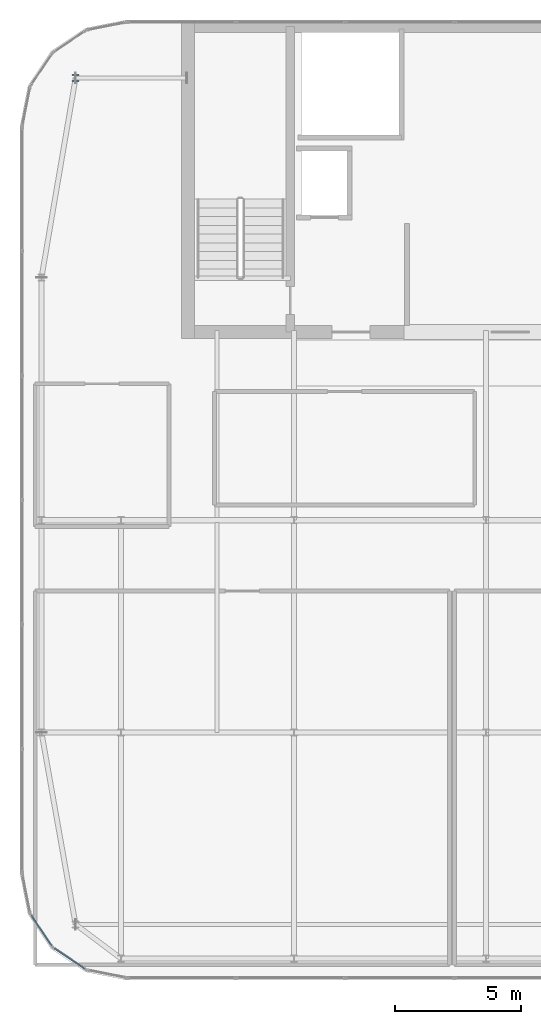
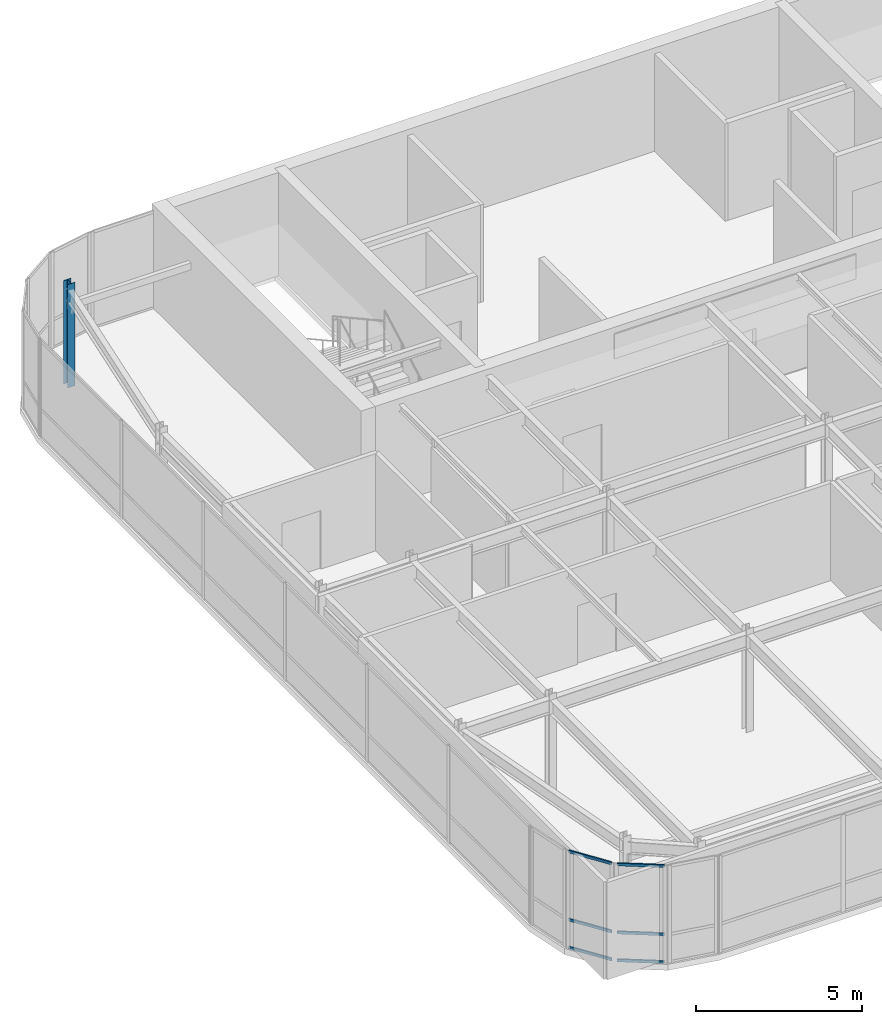
# One storey, part 4 of 36: 6 members, 1 column, 2 elements without a shape of their own.
"""IFC4 building model written with IfcOpenShell, lengths in metres."""

from ifc_helpers import new_model, si_unit, direction, frame, origin, origin_2d, place, context, subcontext, project, spatial, hollow_rectangle, i_section, extrude, source, transform, mapped, material, layer, layer_set, material_profile, profile_set, type_object, type_shapes, element, aggregate, save


model = new_model("IFC4")

# Units and contexts
model_context = context("Model", 3, precision=1e-05, world=origin(), true_north=direction((0.0, 1.0)))
body_context = subcontext(model_context, "Body", "Model", "MODEL_VIEW")
ifc_project = project(units=[si_unit("LENGTHUNIT", "METRE"), si_unit("AREAUNIT", "SQUARE_METRE"), si_unit("VOLUMEUNIT", "CUBIC_METRE"), si_unit("PLANEANGLEUNIT", "RADIAN"), si_unit("MASSUNIT", "GRAM", prefix="KILO")], contexts=[model_context])

# Site, building, storey
site_placement = place(None, origin())
site = spatial("IfcSite", under=ifc_project, at=site_placement, CompositionType="ELEMENT")
building_placement = place(site_placement, origin())
building = spatial("IfcBuilding", under=site, at=building_placement, Name="Tolvann Quenvar Hotel", CompositionType="ELEMENT")
storey_placement = place(building_placement, frame((0.0, 0.0, 298.550048828125)))
storey = spatial("IfcBuildingStorey", under=building, at=storey_placement, Name="L79", CompositionType="ELEMENT", Elevation=298.550048828125)

# Column
ifc_material_1 = material(Name="Steel Grade 350", Category="steel")
ifc_material_profile_1 = material_profile(ifc_material_1, i_section(OverallWidth=0.256103515625, OverallDepth=0.260009765625, WebThickness=0.010498046875, FlangeThickness=0.017333984375, FilletRadius=0.013916015625, at=origin_2d()), Name="250UC90")
ifc_profile_set_1 = profile_set([ifc_material_profile_1], Name="Steel Grade 350")
column_type = type_object("IfcColumnType", Name="COL_250UC90", PredefinedType="COLUMN", material=ifc_profile_set_1)
shared_shape_1 = source(origin(), body_context, "Body", "SweptSolid", [
    extrude(i_section(OverallWidth=0.256103515625, OverallDepth=0.260009765625, WebThickness=0.010498046875, FlangeThickness=0.017333984375, FilletRadius=0.013916015625, at=origin_2d()), origin(), (0.0, 0.0, 1.0), 3.800048828125),
])
type_shapes(column_type, [shared_shape_1])
column_placement = place(storey_placement, frame((5.800048828125, 41.89990234375, 0.0), z_axis=(0.0, 0.0, 1.0), x_axis=(1.0, 0.0, 0.0)))
element("IfcColumn", 1, at=column_placement, inside=storey, type_object=column_type, Name="Column BN (L79)", PredefinedType="COLUMN", context=body_context, shape_type="MappedRepresentation", body=[
    mapped(shared_shape_1, transform((0.0, 0.0, 0.0), x_axis=(1.0, 0.0, 0.0), y_axis=(0.0, 1.0, 0.0), z_axis=(0.0, 0.0, 1.0), scale=1.0)),
])

# Curtain wall, members
ifc_material_2 = material(Name="Thermally broken anodised architectural aluminium 6063-T6 and laminated low-E glass", Category="aluminium")
ifc_layer = layer(ifc_material_2, 0.179931640625)
ifc_layer_set = layer_set([ifc_layer], Name="Thermally broken anodised architectural aluminium 6063-T6 and laminated low-E glass")
curtain_wall_type = type_object("IfcCurtainWallType", Name="CW_SYS_LANT_06", PredefinedType="USERDEFINED", material=ifc_layer_set)
curtain_wall_1_placement = place(storey_placement, origin())
curtain_wall_1 = element("IfcCurtainWall", 2, at=curtain_wall_1_placement, inside=storey, type_object=curtain_wall_type, Name="Curtain Wall CW-LANT-06 (CWR-L79-E01)", ObjectType="UNITISED CURTAIN WALL", PredefinedType="USERDEFINED")
ifc_material_3 = material(Name="Anodised architectural aluminium 6063-T6 framing", Category="aluminium")
ifc_material_profile_2 = material_profile(ifc_material_3, hollow_rectangle(XDim=0.050048828125, YDim=0.10009765625, WallThickness=0.0029296875, at=origin_2d()), Name="100x50x3RHS")
ifc_profile_set_2 = profile_set([ifc_material_profile_2], Name="Anodised architectural aluminium 6063-T6 framing")
member_type = type_object("IfcMemberType", Name="CW_TRAN_100x50", PredefinedType="USERDEFINED", material=ifc_profile_set_2)
shared_shape_2 = source(origin(), body_context, "Body", "SweptSolid", [
    extrude(hollow_rectangle(XDim=0.050048828125, YDim=0.10009765625, WallThickness=0.0029296875, at=origin_2d()), origin(), (0.0, 0.0, 1.0), 1.439208984375),
])
type_shapes(member_type, [shared_shape_2])
member_1_placement = place(storey_placement, frame((4.0498046875, 8.759765625, 0.02490234375), z_axis=(0.555717578985, -0.831371139989, 0.0), x_axis=(0.831371139989, 0.555717578985, 0.0)))
member_1 = element("IfcMember", 3, at=member_1_placement, type_object=member_type, Name="CW-LANT-06 transom 1.1", ObjectType="TRANSOM", PredefinedType="USERDEFINED", context=body_context, shape_type="MappedRepresentation", body=[
    mapped(shared_shape_2, transform((0.0, 0.0, 0.0), x_axis=(1.0, 0.0, 0.0), y_axis=(0.0, 1.0, 0.0), z_axis=(0.0, 0.0, 1.0), scale=1.0)),
])
member_2_placement = place(storey_placement, frame((4.0498046875, 8.759765625, 1.050048828125), z_axis=(0.555717578985, -0.831371139989, 0.0), x_axis=(0.831371139989, 0.555717578985, 0.0)))
member_2 = element("IfcMember", 4, at=member_2_placement, type_object=member_type, Name="CW-LANT-06 transom 1.2", ObjectType="TRANSOM", PredefinedType="USERDEFINED", context=body_context, shape_type="MappedRepresentation", body=[
    mapped(shared_shape_2, transform((0.0, 0.0, 0.0), x_axis=(1.0, 0.0, 0.0), y_axis=(0.0, 1.0, 0.0), z_axis=(0.0, 0.0, 1.0), scale=1.0)),
])
member_3_placement = place(storey_placement, frame((4.0498046875, 8.759765625, 3.554931640625), z_axis=(0.555717578985, -0.831371139989, 0.0), x_axis=(0.831371139989, 0.555717578985, 0.0)))
member_3 = element("IfcMember", 5, at=member_3_placement, type_object=member_type, Name="CW-LANT-06 transom 1.3", ObjectType="TRANSOM", PredefinedType="USERDEFINED", context=body_context, shape_type="MappedRepresentation", body=[
    mapped(shared_shape_2, transform((0.0, 0.0, 0.0), x_axis=(1.0, 0.0, 0.0), y_axis=(0.0, 1.0, 0.0), z_axis=(0.0, 0.0, 1.0), scale=1.0)),
])
aggregate(curtain_wall_1, [member_1, member_2, member_3])

curtain_wall_2_placement = place(storey_placement, origin())
curtain_wall_2 = element("IfcCurtainWall", 6, at=curtain_wall_2_placement, inside=storey, type_object=curtain_wall_type, Name="Curtain Wall CW-LANT-06 (CWR-L79-E02)", ObjectType="UNITISED CURTAIN WALL", PredefinedType="USERDEFINED")
member_4_placement = place(storey_placement, frame((4.963134765625, 7.449462890625, 0.02490234375), z_axis=(0.831449510818, -0.555600315839, 0.0), x_axis=(0.555600315839, 0.831449510818, 0.0)))
member_4 = element("IfcMember", 7, at=member_4_placement, type_object=member_type, Name="CW-LANT-06 transom 1.1", ObjectType="TRANSOM", PredefinedType="USERDEFINED", context=body_context, shape_type="MappedRepresentation", body=[
    mapped(shared_shape_2, transform((0.0, 0.0, 0.0), x_axis=(1.0, 0.0, 0.0), y_axis=(0.0, 1.0, 0.0), z_axis=(0.0, 0.0, 1.0), scale=1.0)),
])
member_5_placement = place(storey_placement, frame((4.963134765625, 7.449462890625, 1.050048828125), z_axis=(0.831449510818, -0.555600315839, 0.0), x_axis=(0.555600315839, 0.831449510818, 0.0)))
member_5 = element("IfcMember", 8, at=member_5_placement, type_object=member_type, Name="CW-LANT-06 transom 1.2", ObjectType="TRANSOM", PredefinedType="USERDEFINED", context=body_context, shape_type="MappedRepresentation", body=[
    mapped(shared_shape_2, transform((0.0, 0.0, 0.0), x_axis=(1.0, 0.0, 0.0), y_axis=(0.0, 1.0, 0.0), z_axis=(0.0, 0.0, 1.0), scale=1.0)),
])
member_6_placement = place(storey_placement, frame((4.963134765625, 7.449462890625, 3.554931640625), z_axis=(0.831449510818, -0.555600315839, 0.0), x_axis=(0.555600315839, 0.831449510818, 0.0)))
member_6 = element("IfcMember", 9, at=member_6_placement, type_object=member_type, Name="CW-LANT-06 transom 1.3", ObjectType="TRANSOM", PredefinedType="USERDEFINED", context=body_context, shape_type="MappedRepresentation", body=[
    mapped(shared_shape_2, transform((0.0, 0.0, 0.0), x_axis=(1.0, 0.0, 0.0), y_axis=(0.0, 1.0, 0.0), z_axis=(0.0, 0.0, 1.0), scale=1.0)),
])
aggregate(curtain_wall_2, [member_4, member_5, member_6])

save(model, "model.ifc")
